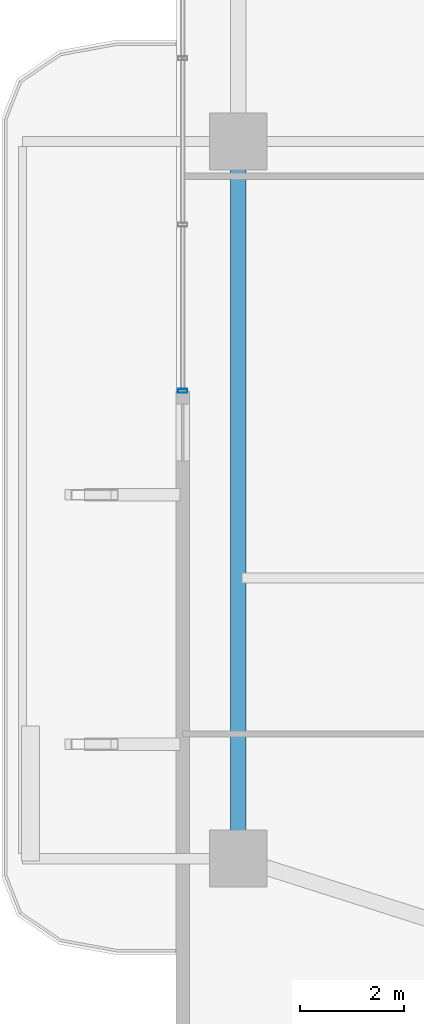
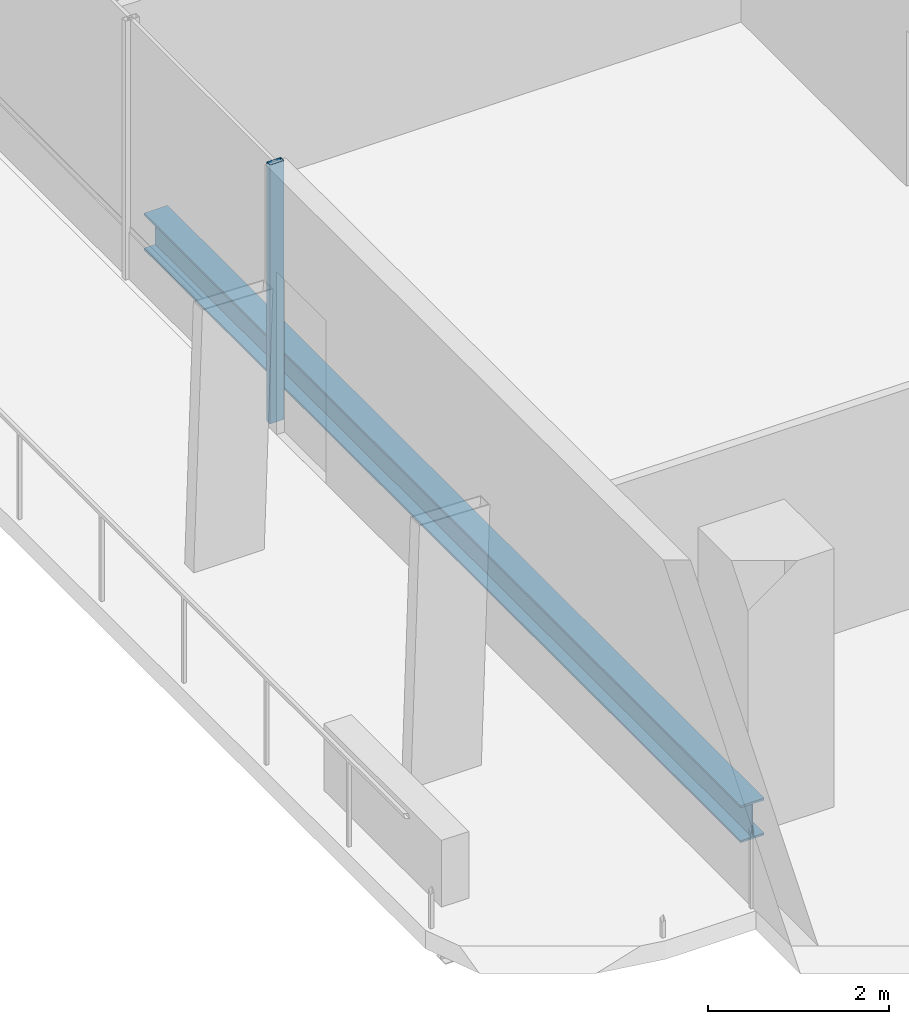
# One storey, part 4 of 24: 1 beam, 1 member, 1 element without a shape of its own.
"""IFC4 building model written with IfcOpenShell, lengths in metres."""

from ifc_helpers import new_model, si_unit, direction, frame, origin, origin_2d, place, context, subcontext, project, spatial, hollow_rectangle, i_section, extrude, material, layer, layer_set, material_profile, profile_set, type_object, element, aggregate, save


model = new_model("IFC4")

# Units and contexts
model_context = context("Model", 3, precision=1e-05, world=origin(), true_north=direction((0.0, 1.0)))
body_context = subcontext(model_context, "Body", "Model", "MODEL_VIEW")
ifc_project = project(units=[si_unit("LENGTHUNIT", "METRE"), si_unit("AREAUNIT", "SQUARE_METRE"), si_unit("VOLUMEUNIT", "CUBIC_METRE"), si_unit("PLANEANGLEUNIT", "RADIAN"), si_unit("MASSUNIT", "GRAM", prefix="KILO")], contexts=[model_context])

# Site, building, storey
site_placement = place(None, origin())
site = spatial("IfcSite", under=ifc_project, at=site_placement, CompositionType="ELEMENT")
building_placement = place(site_placement, origin())
building = spatial("IfcBuilding", under=site, at=building_placement, Name="Belovzor Exchange Tower", CompositionType="ELEMENT")
storey_placement = place(building_placement, frame((0.0, 0.0, 145.800048828125)))
storey = spatial("IfcBuildingStorey", under=building, at=storey_placement, Name="L35", CompositionType="ELEMENT", Elevation=145.800048828125)

# Curtain wall, member
ifc_material_1 = material(Name="Anodised Aluminium Framing", Category="aluminium")
ifc_layer = layer(ifc_material_1, 0.179931640625)
ifc_layer_set = layer_set([ifc_layer], Name="Anodised Aluminium Framing")
curtain_wall_type = type_object("IfcCurtainWallType", Name="Recessed Loggia Low-Iron Triple-Glazed Curtain Wall", PredefinedType="NOTDEFINED", material=ifc_layer_set)
curtain_wall_placement = place(storey_placement, origin())
curtain_wall = element("IfcCurtainWall", 1, at=curtain_wall_placement, inside=storey, type_object=curtain_wall_type, Name="CW3 Recessed Loggia Low-Iron Triple-Glazed Curtain Wall L35", PredefinedType="NOTDEFINED")
ifc_material_2 = material(Name="Steel S355", Category="steel")
ifc_material_profile_1 = material_profile(ifc_material_2, hollow_rectangle(XDim=0.074951171875, YDim=0.179931640625, WallThickness=0.0048828125, at=origin_2d()))
ifc_profile_set_1 = profile_set([ifc_material_profile_1], Name="Steel S355")
member_type = type_object("IfcMemberType", Name="Thermally Broken Curtain Wall Mullion 180x75", PredefinedType="MULLION", material=ifc_profile_set_1)
member_placement = place(storey_placement, frame((4.6298828125, 24.0, 0.0), z_axis=(0.0, 0.0, 1.0), x_axis=(0.0, 1.0, 0.0)))
member = element("IfcMember", 2, at=member_placement, type_object=member_type, Name="CW-M180 Curtain Wall Mullion 1", PredefinedType="MULLION", context=body_context, shape_type="SweptSolid", body=[
    extrude(hollow_rectangle(XDim=0.074951171875, YDim=0.179931640625, WallThickness=0.0048828125, at=origin_2d()), origin(), (0.0, 0.0, 1.0), 3.494873046875),
])
aggregate(curtain_wall, [member])

# Beam
ifc_material_3 = material(Name="Steel S355", Category="steel")
ifc_material_profile_2 = material_profile(ifc_material_3, i_section(OverallWidth=0.300048828125, OverallDepth=0.5, WebThickness=0.014404296875, FlangeThickness=0.028076171875, at=origin_2d()))
ifc_profile_set_2 = profile_set([ifc_material_profile_2], Name="Steel S355")
beam_type = type_object("IfcBeamType", Name="Zone 3 Waist Primary Girder HEB 500", PredefinedType="BEAM", material=ifc_profile_set_2)
beam_placement = place(storey_placement, frame((5.699951171875, 28.498046875, -0.505126953125), z_axis=(0.0, -1.0, 0.0), x_axis=(1.0, 0.0, 0.0)))
element("IfcBeam", 3, at=beam_placement, inside=storey, type_object=beam_type, Name="FG-Z3 Zone 3 Waist Primary Girder HEB 500", PredefinedType="BEAM", context=body_context, shape_type="SweptSolid", body=[
    extrude(i_section(OverallWidth=0.300048828125, OverallDepth=0.5, WebThickness=0.014404296875, FlangeThickness=0.028076171875, at=origin_2d()), origin(), (0.0, 0.0, 1.0), 13.195068359375),
])

save(model, "model.ifc")
